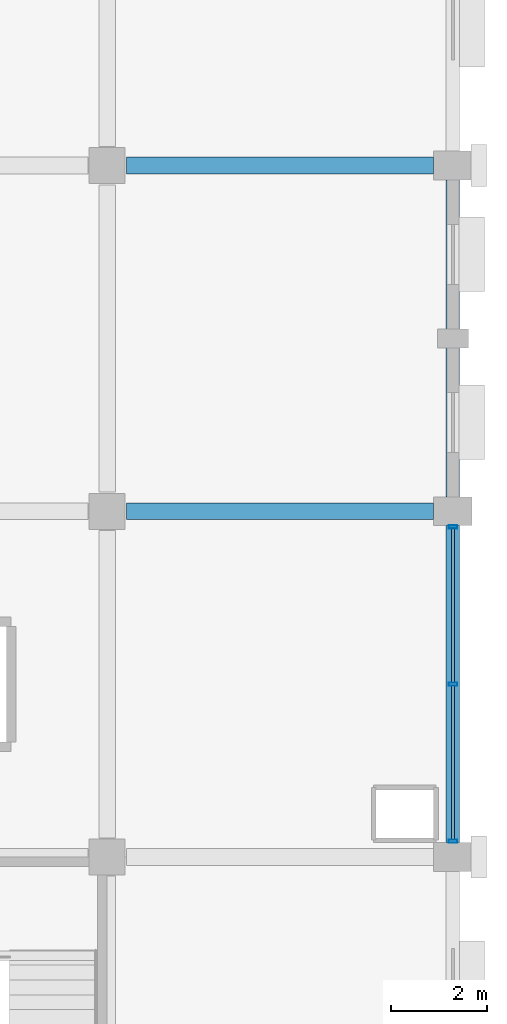
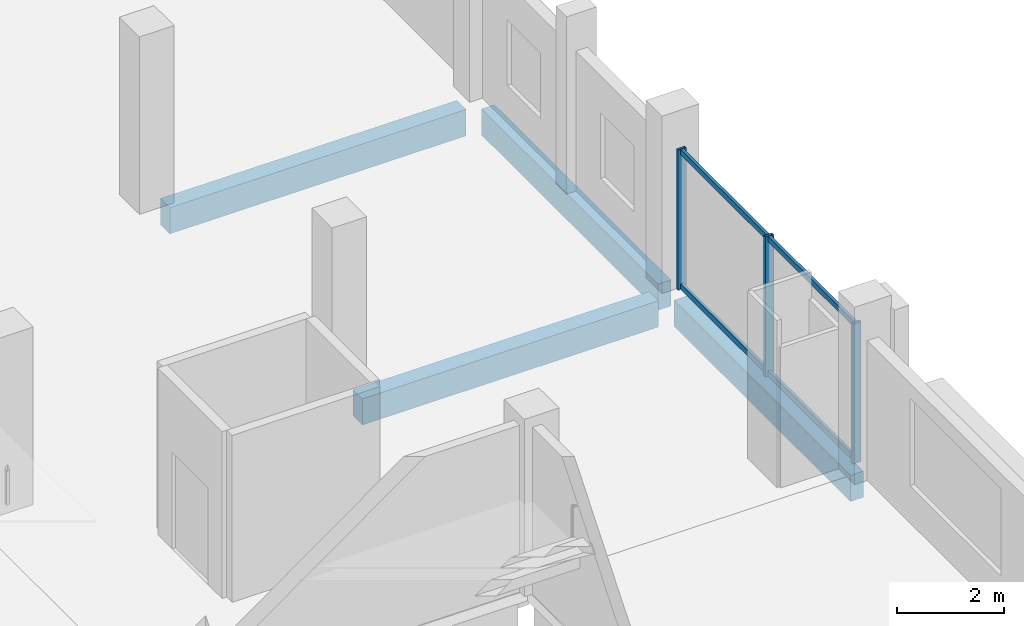
# One storey, part 57 of 108: 7 members, 4 beams, 1 element without a shape of its own.
"""IFC4 building model written with IfcOpenShell, lengths in metres."""

from ifc_helpers import new_model, si_unit, direction, frame, origin, origin_2d, place, context, subcontext, project, spatial, rectangle, hollow_rectangle, extrude, material, layer, layer_set, material_profile, profile_set, type_object, element, aggregate, save


model = new_model("IFC4")

# Units and contexts
model_context = context("Model", 3, precision=1e-05, world=origin(), true_north=direction((0.0, 1.0)))
body_context = subcontext(model_context, "Body", "Model", "MODEL_VIEW")
ifc_project = project(units=[si_unit("LENGTHUNIT", "METRE"), si_unit("AREAUNIT", "SQUARE_METRE"), si_unit("VOLUMEUNIT", "CUBIC_METRE"), si_unit("PLANEANGLEUNIT", "RADIAN"), si_unit("MASSUNIT", "GRAM", prefix="KILO")], contexts=[model_context])

# Site, building, storey
site_placement = place(None, origin())
site = spatial("IfcSite", under=ifc_project, at=site_placement, CompositionType="ELEMENT")
building_placement = place(site_placement, origin())
building = spatial("IfcBuilding", under=site, at=building_placement, Name="Kangsadwip Square Police Headquarters", CompositionType="ELEMENT")
storey_placement = place(building_placement, frame((0.0, 0.0, 9.449951171875)))
storey = spatial("IfcBuildingStorey", under=building, at=storey_placement, Name="L02", CompositionType="ELEMENT", Elevation=9.449951171875)

# Curtain wall, members
ifc_material_1 = material(Name="Thermally broken anodised aluminium AW-6063-T6", Category="aluminium")
ifc_layer = layer(ifc_material_1, 0.159912109375)
ifc_layer_set = layer_set([ifc_layer], Name="Thermally broken anodised aluminium AW-6063-T6")
curtain_wall_type = type_object("IfcCurtainWallType", Name="UnitisedCw6610x3200", PredefinedType="NOTDEFINED", material=ifc_layer_set)
curtain_wall_placement = place(storey_placement, origin())
curtain_wall = element("IfcCurtainWall", 1, at=curtain_wall_placement, inside=storey, type_object=curtain_wall_type, Name="Curtain Wall CW-L02-1656-0651", PredefinedType="NOTDEFINED")
ifc_material_2 = material(Name="Thermally broken anodised aluminium AW-6063-T6", Category="aluminium")
ifc_material_profile_1 = material_profile(ifc_material_2, hollow_rectangle(XDim=0.06494140625, YDim=0.179931640625, WallThickness=0.00390625, at=origin_2d()), Name="CWM 180X65X4")
ifc_profile_set_1 = profile_set([ifc_material_profile_1], Name="Thermally broken anodised aluminium AW-6063-T6")
member_type_1 = type_object("IfcMemberType", Name="CwMullion160x65", PredefinedType="MULLION", material=ifc_profile_set_1)
member_1_placement = place(storey_placement, frame((165.60009765625, 65.12744140625, 0.0), z_axis=(0.0, 0.0, 1.0), x_axis=(0.0, 1.0, 0.0)))
member_1 = element("IfcMember", 2, at=member_1_placement, type_object=member_type_1, Name="CW-28 mullion 1", PredefinedType="MULLION", context=body_context, shape_type="SweptSolid", body=[
    extrude(hollow_rectangle(XDim=0.06494140625, YDim=0.179931640625, WallThickness=0.00390625, at=origin_2d()), origin(), (0.0, 0.0, 1.0), 3.199951171875),
])
member_2_placement = place(storey_placement, frame((165.60009765625, 68.39990234375, 0.0), z_axis=(0.0, 0.0, 1.0), x_axis=(0.0, 1.0, 0.0)))
member_2 = element("IfcMember", 3, at=member_2_placement, type_object=member_type_1, Name="CW-28 mullion 2", PredefinedType="MULLION", context=body_context, shape_type="SweptSolid", body=[
    extrude(hollow_rectangle(XDim=0.06494140625, YDim=0.179931640625, WallThickness=0.00390625, at=origin_2d()), origin(), (0.0, 0.0, 1.0), 3.199951171875),
])
member_3_placement = place(storey_placement, frame((165.60009765625, 71.672607421875, 0.0), z_axis=(0.0, 0.0, 1.0), x_axis=(0.0, 1.0, 0.0)))
member_3 = element("IfcMember", 4, at=member_3_placement, type_object=member_type_1, Name="CW-28 mullion 3", PredefinedType="MULLION", context=body_context, shape_type="SweptSolid", body=[
    extrude(hollow_rectangle(XDim=0.06494140625, YDim=0.179931640625, WallThickness=0.00390625, at=origin_2d()), origin(), (0.0, 0.0, 1.0), 3.199951171875),
])
ifc_material_3 = material(Name="Thermally broken anodised aluminium AW-6063-T6", Category="aluminium")
ifc_material_profile_2 = material_profile(ifc_material_3, hollow_rectangle(XDim=0.06494140625, YDim=0.1298828125, WallThickness=0.00390625, at=origin_2d()), Name="CWT 130X65X4")
ifc_profile_set_2 = profile_set([ifc_material_profile_2], Name="Thermally broken anodised aluminium AW-6063-T6")
member_type_2 = type_object("IfcMemberType", Name="CwTransom140x60", PredefinedType="USERDEFINED", material=ifc_profile_set_2)
member_4_placement = place(storey_placement, frame((165.60009765625, 65.159912109375, 0.06494140625), z_axis=(0.0, 1.0, 0.0), x_axis=(-1.0, 0.0, 0.0)))
member_4 = element("IfcMember", 5, at=member_4_placement, type_object=member_type_2, Name="CW-28 transom 1.1", ObjectType="TRANSOM", PredefinedType="USERDEFINED", context=body_context, shape_type="SweptSolid", body=[
    extrude(hollow_rectangle(XDim=0.06494140625, YDim=0.1298828125, WallThickness=0.00390625, at=origin_2d()), origin(), (0.0, 0.0, 1.0), 3.20751953125),
])
member_5_placement = place(storey_placement, frame((165.60009765625, 65.159912109375, 3.135009765625), z_axis=(0.0, 1.0, 0.0), x_axis=(-1.0, 0.0, 0.0)))
member_5 = element("IfcMember", 6, at=member_5_placement, type_object=member_type_2, Name="CW-28 transom 1.2", ObjectType="TRANSOM", PredefinedType="USERDEFINED", context=body_context, shape_type="SweptSolid", body=[
    extrude(hollow_rectangle(XDim=0.06494140625, YDim=0.1298828125, WallThickness=0.00390625, at=origin_2d()), origin(), (0.0, 0.0, 1.0), 3.20751953125),
])
member_6_placement = place(storey_placement, frame((165.60009765625, 68.4326171875, 0.06494140625), z_axis=(0.0, 1.0, 0.0), x_axis=(-1.0, 0.0, 0.0)))
member_6 = element("IfcMember", 7, at=member_6_placement, type_object=member_type_2, Name="CW-28 transom 2.1", ObjectType="TRANSOM", PredefinedType="USERDEFINED", context=body_context, shape_type="SweptSolid", body=[
    extrude(hollow_rectangle(XDim=0.06494140625, YDim=0.1298828125, WallThickness=0.00390625, at=origin_2d()), origin(), (0.0, 0.0, 1.0), 3.207275390625),
])
member_7_placement = place(storey_placement, frame((165.60009765625, 68.4326171875, 3.135009765625), z_axis=(0.0, 1.0, 0.0), x_axis=(-1.0, 0.0, 0.0)))
member_7 = element("IfcMember", 8, at=member_7_placement, type_object=member_type_2, Name="CW-28 transom 2.2", ObjectType="TRANSOM", PredefinedType="USERDEFINED", context=body_context, shape_type="SweptSolid", body=[
    extrude(hollow_rectangle(XDim=0.06494140625, YDim=0.1298828125, WallThickness=0.00390625, at=origin_2d()), origin(), (0.0, 0.0, 1.0), 3.207275390625),
])
aggregate(curtain_wall, [member_1, member_2, member_3, member_4, member_5, member_6, member_7])

# Beams
ifc_material_4 = material(Name="Concrete M35 (35 MPa)", Category="concrete")
ifc_material_profile_3 = material_profile(ifc_material_4, rectangle(XDim=0.35009765625, YDim=0.60009765625, at=origin_2d()), Name="RC BM 600X350")
ifc_profile_set_3 = profile_set([ifc_material_profile_3], Name="Concrete M35 (35 MPa)")
beam_type_1 = type_object("IfcBeamType", Name="RcBeam600x350", PredefinedType="BEAM", material=ifc_profile_set_3)
for number, where, z_axis, x_axis, name in (
    (9, (158.800048828125, 72.0, -0.5400390625), (1.0, 0.0, 0.0), (0.0, 1.0, 0.0), "Beam BM-L02-X-22-10"),
    (10, (158.800048828125, 79.199951171875, -0.5400390625), (1.0, 0.0, 0.0), (0.0, 1.0, 0.0), "Beam BM-L02-X-22-11"),
):
    element("IfcBeam", number, at=place(storey_placement, frame(where, z_axis=z_axis, x_axis=x_axis)), inside=storey, type_object=beam_type_1, Name=name, PredefinedType="BEAM", context=body_context, shape_type="SweptSolid", body=[
        extrude(rectangle(XDim=0.35009765625, YDim=0.60009765625, at=origin_2d()), origin(), (0.0, 0.0, 1.0), 6.39990234375),
    ])
ifc_material_5 = material(Name="Concrete M40 (40 MPa)", Category="concrete")
ifc_material_profile_4 = material_profile(ifc_material_5, rectangle(XDim=0.280029296875, YDim=0.60009765625, at=origin_2d()), Name="RC SPN 600X280")
ifc_profile_set_4 = profile_set([ifc_material_profile_4], Name="Concrete M40 (40 MPa)")
beam_type_2 = type_object("IfcBeamType", Name="RcSpandrel600x280", PredefinedType="SPANDREL", material=ifc_profile_set_4)
for number, where, z_axis, x_axis, name in (
    (11, (165.60009765625, 65.10009765625, -0.5400390625), (0.0, 1.0, 0.0), (-1.0, 0.0, 0.0), "Beam BM-L02-Y-23-09"),
    (12, (165.60009765625, 72.300048828125, -0.5400390625), (0.0, 1.0, 0.0), (-1.0, 0.0, 0.0), "Beam BM-L02-Y-23-10"),
):
    element("IfcBeam", number, at=place(storey_placement, frame(where, z_axis=z_axis, x_axis=x_axis)), inside=storey, type_object=beam_type_2, Name=name, PredefinedType="SPANDREL", context=body_context, shape_type="SweptSolid", body=[
        extrude(rectangle(XDim=0.280029296875, YDim=0.60009765625, at=origin_2d()), origin(), (0.0, 0.0, 1.0), 6.599853515625),
    ])

save(model, "model.ifc")
